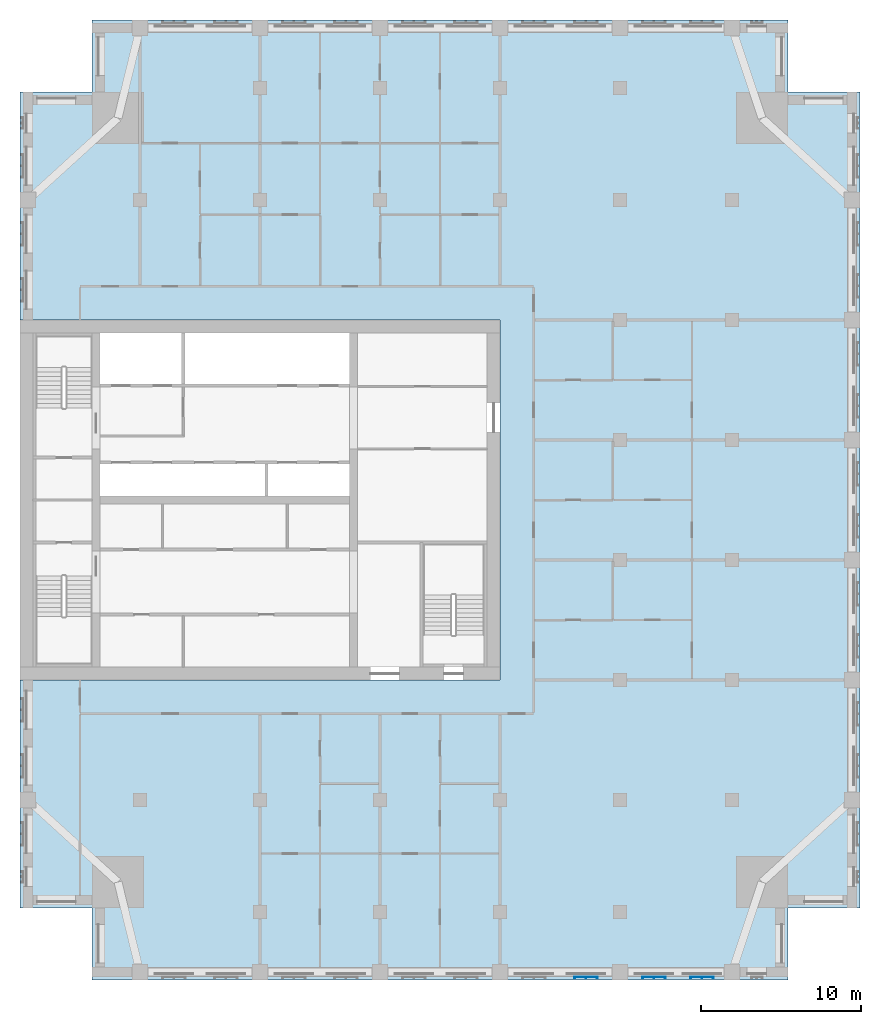
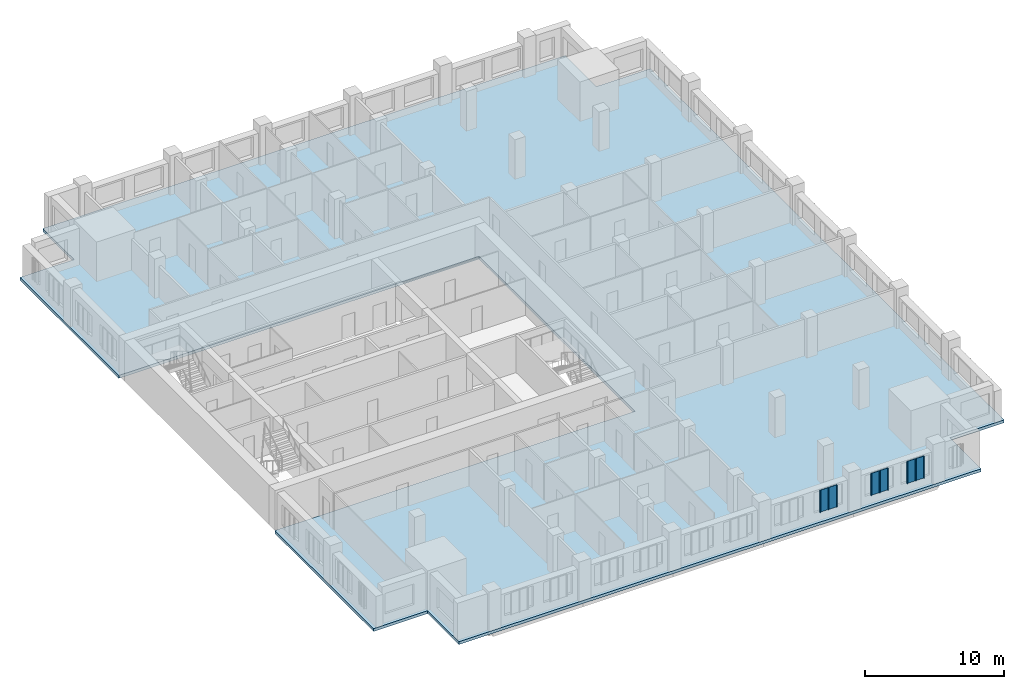
# One storey, part 3 of 14: 3 plates, 1 slab.
"""IFC4 building model written with IfcOpenShell, lengths in metres."""

from ifc_helpers import new_model, si_unit, direction, frame, origin, place, context, subcontext, project, spatial, polyline, outline, extrude, material, layer, layer_set, type_object, element, save


model = new_model("IFC4")

# Units and contexts
model_context = context("Model", 3, precision=1e-05, world=origin(), true_north=direction((0.0, 1.0)))
body_context = subcontext(model_context, "Body", "Model", "MODEL_VIEW")
ifc_project = project(units=[si_unit("LENGTHUNIT", "METRE"), si_unit("AREAUNIT", "SQUARE_METRE"), si_unit("VOLUMEUNIT", "CUBIC_METRE"), si_unit("PLANEANGLEUNIT", "RADIAN"), si_unit("MASSUNIT", "GRAM", prefix="KILO")], contexts=[model_context])

# Site, building, storey
site_placement = place(None, origin())
site = spatial("IfcSite", under=ifc_project, at=site_placement, CompositionType="ELEMENT")
building_placement = place(site_placement, origin())
building = spatial("IfcBuilding", under=site, at=building_placement, Name="Tamorin Gate", CompositionType="ELEMENT")
storey_placement = place(building_placement, frame((0.0, 0.0, 203.699951171875)))
storey = spatial("IfcBuildingStorey", under=building, at=storey_placement, Name="L50", CompositionType="ELEMENT", Elevation=203.699951171875)

# Slab
ifc_material_1 = material(Name="Concrete C40/50", Category="concrete")
ifc_layer_1 = layer(ifc_material_1, 0.25)
ifc_layer_set_1 = layer_set([ifc_layer_1], Name="Floor slab 250 C40/50")
slab_type = type_object("IfcSlabType", Name="Floor slab 250 C40/50", PredefinedType="FLOOR", material=ifc_layer_set_1)
slab_placement = place(storey_placement, frame((0.0, 0.0, -0.25)))
element("IfcSlab", 1, at=slab_placement, inside=storey, type_object=slab_type, Name="Floor L50", PredefinedType="FLOOR", context=body_context, shape_type="SweptSolid", body=[
    extrude(outline(polyline([(30.0, 96.75), (34.5, 96.75), (34.5, 101.25), (78.0, 101.25), (78.0, 96.75), (82.5, 96.75), (82.5, 45.75), (78.0, 45.75), (78.0, 41.25), (34.5, 41.25), (34.5, 45.75), (30.0, 45.75), (30.0, 60.0), (60.0, 60.0), (60.0, 82.5), (30.0, 82.5), (30.0, 96.75)])), origin(), (0.0, 0.0, 1.0), 0.25),
])

# Plates
ifc_material_2 = material(Name="Perforated pale aluminium sheet", Category="aluminium")
ifc_layer_2 = layer(ifc_material_2, 0.0400390625)
ifc_layer_set_2 = layer_set([ifc_layer_2], Name="Pale metal solar screen 1440")
plate_type = type_object("IfcPlateType", Name="Pale metal solar screen 1440", PredefinedType="SHEET", material=ifc_layer_set_2)
plate_1_placement = place(storey_placement, frame((0.0, 0.0, 0.737548828125)))
element("IfcPlate", 2, at=plate_1_placement, inside=storey, type_object=plate_type, Name="Perforated solar screen", PredefinedType="SHEET", context=body_context, shape_type="SweptSolid", body=[
    extrude(outline(polyline([(64.655029296875, 41.409912109375), (64.655029296875, 41.449951171875), (64.715087890625, 41.449951171875), (65.344970703125, 41.449951171875), (65.405029296875, 41.449951171875), (66.034912109375, 41.449951171875), (66.094970703125, 41.449951171875), (66.094970703125, 41.409912109375), (66.094970703125, 41.35009765625), (66.034912109375, 41.35009765625), (66.034912109375, 41.409912109375), (65.405029296875, 41.409912109375), (65.405029296875, 41.35009765625), (65.344970703125, 41.35009765625), (65.344970703125, 41.409912109375), (64.715087890625, 41.409912109375), (64.715087890625, 41.35009765625), (64.655029296875, 41.35009765625), (64.655029296875, 41.409912109375)])), origin(), (0.0, 0.0, 1.0), 1.925048828125),
])
plate_2_placement = place(storey_placement, frame((0.0, 0.0, 0.737548828125)))
element("IfcPlate", 3, at=plate_2_placement, inside=storey, type_object=plate_type, Name="Perforated solar screen", PredefinedType="SHEET", context=body_context, shape_type="SweptSolid", body=[
    extrude(outline(polyline([(68.905029296875, 41.409912109375), (68.905029296875, 41.449951171875), (68.965087890625, 41.449951171875), (69.594970703125, 41.449951171875), (69.655029296875, 41.449951171875), (70.284912109375, 41.449951171875), (70.344970703125, 41.449951171875), (70.344970703125, 41.409912109375), (70.344970703125, 41.35009765625), (70.284912109375, 41.35009765625), (70.284912109375, 41.409912109375), (69.655029296875, 41.409912109375), (69.655029296875, 41.35009765625), (69.594970703125, 41.35009765625), (69.594970703125, 41.409912109375), (68.965087890625, 41.409912109375), (68.965087890625, 41.35009765625), (68.905029296875, 41.35009765625), (68.905029296875, 41.409912109375)])), origin(), (0.0, 0.0, 1.0), 1.925048828125),
])
plate_3_placement = place(storey_placement, frame((0.0, 0.0, 0.737548828125)))
element("IfcPlate", 4, at=plate_3_placement, inside=storey, type_object=plate_type, Name="Perforated solar screen", PredefinedType="SHEET", context=body_context, shape_type="SweptSolid", body=[
    extrude(outline(polyline([(71.905029296875, 41.409912109375), (71.905029296875, 41.449951171875), (71.965087890625, 41.449951171875), (72.594970703125, 41.449951171875), (72.655029296875, 41.449951171875), (73.284912109375, 41.449951171875), (73.344970703125, 41.449951171875), (73.344970703125, 41.409912109375), (73.344970703125, 41.35009765625), (73.284912109375, 41.35009765625), (73.284912109375, 41.409912109375), (72.655029296875, 41.409912109375), (72.655029296875, 41.35009765625), (72.594970703125, 41.35009765625), (72.594970703125, 41.409912109375), (71.965087890625, 41.409912109375), (71.965087890625, 41.35009765625), (71.905029296875, 41.35009765625), (71.905029296875, 41.409912109375)])), origin(), (0.0, 0.0, 1.0), 1.925048828125),
])

save(model, "model.ifc")
